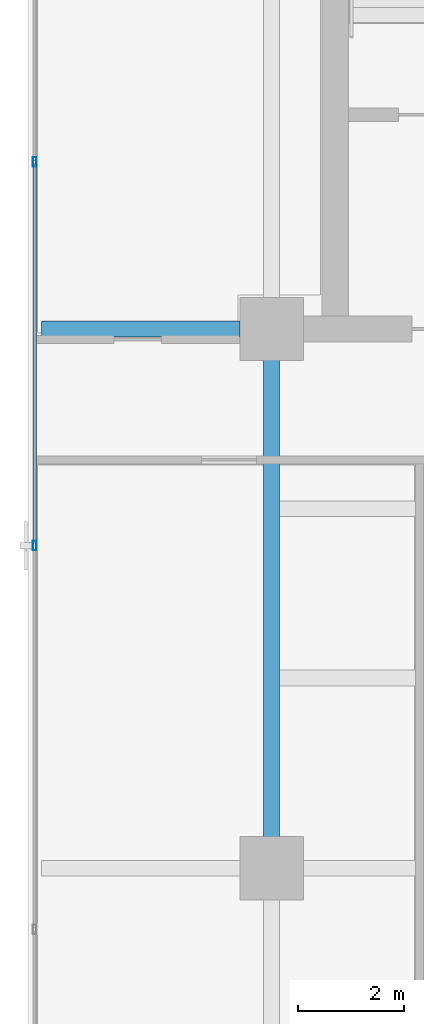
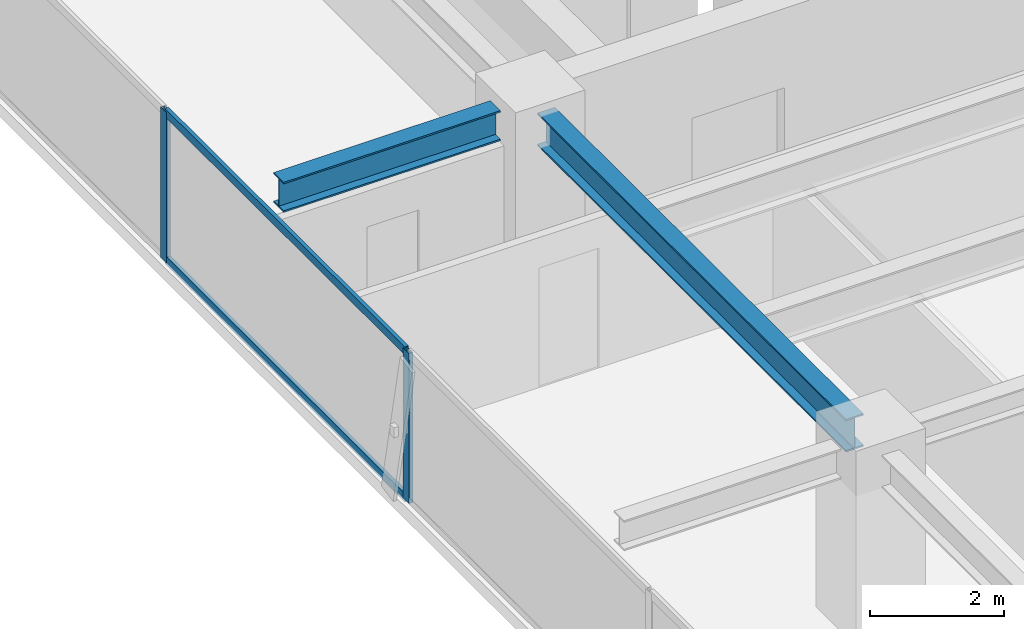
# One storey, part 6 of 20: 4 members, 2 beams, 1 element without a shape of its own.
"""IFC4 building model written with IfcOpenShell, lengths in metres."""

import ifcopenshell
import ifcopenshell.guid

model = None  # the IFC model being written
_history = None  # IfcOwnerHistory: only IFC2X3 demands one
_inside = {}  # id of a spatial element -> (the spatial element, [elements in it])
_under = {}  # id of a project, library or spatial element -> (it, [spatial elements below it])
_declared = {}  # id of a project -> (the project, [libraries it declares])
_typed = {}  # id of a type object -> (the type object, [elements of that type])
_made_of = {}  # id of a material, layer set ... -> (it, [elements and type objects made of it])


def new_model(schema):
    """Start an empty IFC model of exactly this schema.

    Asked for "IFC4X3", IfcOpenShell would pick the latest addendum, in which some entities
    have other attributes; the version numbers below select the first issue.
    IFC2X3 requires an IfcOwnerHistory on every rooted entity: one is made here for all.
    """
    global model, _history
    if schema == "IFC4X3":
        model = ifcopenshell.file(schema_version=(4, 3, 0, 0))
    else:
        model = ifcopenshell.file(schema=schema)
    _inside.clear()
    _under.clear()
    _declared.clear()
    _typed.clear()
    _made_of.clear()
    _history = None
    if model.schema == "IFC2X3":
        org = make("IfcOrganization", Name="unknown")
        user = make(
            "IfcPersonAndOrganization",
            ThePerson=make("IfcPerson", FamilyName="unknown"),
            TheOrganization=org,
        )
        app = make(
            "IfcApplication",
            ApplicationDeveloper=org,
            Version="unknown",
            ApplicationFullName="unknown",
            ApplicationIdentifier="unknown",
        )
        _history = make(
            "IfcOwnerHistory",
            OwningUser=user,
            OwningApplication=app,
            ChangeAction="ADDED",
            CreationDate=0,
        )
    return model


def make(cls, **values):
    """One entity of the class cls with the attributes given. An attribute that is None is left unset."""
    return model.create_entity(
        cls, **{name: value for name, value in values.items() if value is not None}
    )


def rooted(cls, **values):
    """An entity with a GlobalId (a new one), such as an element, a storey or a relation."""
    return make(cls, GlobalId=ifcopenshell.guid.new(), OwnerHistory=_history, **values)


def si_unit(unit_type, name, prefix=None):
    """IfcSIUnit, for example si_unit("LENGTHUNIT", "METRE", prefix="MILLI")."""
    return make("IfcSIUnit", UnitType=unit_type, Prefix=prefix, Name=name)


def assignment(units):
    """IfcUnitAssignment: the units of a project."""
    return None if units is None else make("IfcUnitAssignment", Units=units)


def point(xyz):
    """IfcCartesianPoint."""
    return None if xyz is None else make("IfcCartesianPoint", Coordinates=xyz)


def direction(xyz):
    """IfcDirection."""
    return None if xyz is None else make("IfcDirection", DirectionRatios=xyz)


def frame(location, z_axis=None, x_axis=None):
    """IfcAxis2Placement3D, a coordinate frame: its origin and axes. An axis left out is left unset."""
    return make(
        "IfcAxis2Placement3D",
        Location=point(location),
        Axis=direction(z_axis),
        RefDirection=direction(x_axis),
    )


def frame_2d(location, x_axis=None):
    """IfcAxis2Placement2D, a coordinate frame in the plane: its origin and x axis."""
    return make(
        "IfcAxis2Placement2D", Location=point(location), RefDirection=direction(x_axis)
    )


def origin():
    """The frame at (0, 0, 0) with its axes left unset."""
    return frame((0.0, 0.0, 0.0))


def origin_2d():
    """The frame at (0, 0) in the plane with its x axis left unset."""
    return frame_2d((0.0, 0.0))


def place(relative_to, where):
    """IfcLocalPlacement: puts the frame where relative to a parent placement (None: the world)."""
    return make(
        "IfcLocalPlacement", PlacementRelTo=relative_to, RelativePlacement=where
    )


def context(
    kind, dimensions, precision=None, world=None, true_north=None, identifier=None
):
    """IfcGeometricRepresentationContext, for example the 3D "Model" context."""
    return make(
        "IfcGeometricRepresentationContext",
        ContextIdentifier=identifier,
        ContextType=kind,
        CoordinateSpaceDimension=dimensions,
        Precision=precision,
        WorldCoordinateSystem=world,
        TrueNorth=true_north,
    )


def subcontext(parent, identifier, kind, view, scale=None):
    """IfcGeometricRepresentationSubContext, for example "Body" below "Model"."""
    return make(
        "IfcGeometricRepresentationSubContext",
        ContextIdentifier=identifier,
        ContextType=kind,
        ParentContext=parent,
        TargetScale=scale,
        TargetView=view,
    )


def project(units=None, contexts=None):
    """IfcProject with its units and contexts."""
    return rooted(
        "IfcProject",
        Name="project",
        RepresentationContexts=contexts,
        UnitsInContext=assignment(units),
    )


def spatial(cls, under=None, at=None, **own):
    """A site, building, storey or space (cls), placed at a placement, below another one or the project."""
    s = rooted(cls, ObjectPlacement=at, **own)
    if under is not None:
        _under.setdefault(under.id(), (under, []))[1].append(s)
    return s


def profile(cls, at=None, kind="AREA", **sizes):
    """A parametric profile (cls). Its sizes go by their IFC names, for example OverallWidth=200.0."""
    return make(cls, ProfileType=kind, Position=at, **sizes)


def hollow_rectangle(**sizes):
    """IfcRectangleHollowProfileDef."""
    return profile("IfcRectangleHollowProfileDef", **sizes)


def i_section(**sizes):
    """IfcIShapeProfileDef."""
    return profile("IfcIShapeProfileDef", **sizes)


def extrude(swept, where, along, depth):
    """IfcExtrudedAreaSolid: the profile swept, set in the frame where, extruded along a direction by depth."""
    return make(
        "IfcExtrudedAreaSolid",
        SweptArea=swept,
        Position=where,
        ExtrudedDirection=direction(along),
        Depth=depth,
    )


def shape(context_of_items, identifier, shape_type, items):
    """IfcShapeRepresentation: the items that make up one representation, for example the "Body"."""
    return make(
        "IfcShapeRepresentation",
        ContextOfItems=context_of_items,
        RepresentationIdentifier=identifier,
        RepresentationType=shape_type,
        Items=items,
    )


def source(mapping_origin, context_of_items, identifier, shape_type, items):
    """IfcRepresentationMap: a shape defined once, which mapped items show again and again."""
    return make(
        "IfcRepresentationMap",
        MappingOrigin=mapping_origin,
        MappedRepresentation=shape(context_of_items, identifier, shape_type, items),
    )


def transform(
    local_origin,
    x_axis=None,
    y_axis=None,
    z_axis=None,
    scale=None,
    scale2=None,
    scale3=None,
    uniform=True,
):
    """IfcCartesianTransformationOperator3D, or its non-uniform kind. x_axis, y_axis, z_axis: its Axis1, 2, 3."""
    if uniform:
        return make(
            "IfcCartesianTransformationOperator3D",
            Axis1=direction(x_axis),
            Axis2=direction(y_axis),
            LocalOrigin=point(local_origin),
            Scale=scale,
            Axis3=direction(z_axis),
        )
    return make(
        "IfcCartesianTransformationOperator3DnonUniform",
        Axis1=direction(x_axis),
        Axis2=direction(y_axis),
        LocalOrigin=point(local_origin),
        Scale=scale,
        Axis3=direction(z_axis),
        Scale2=scale2,
        Scale3=scale3,
    )


def mapped(mapping_source, mapping_target):
    """IfcMappedItem: shows the shape of a source again, moved by a transform."""
    return make(
        "IfcMappedItem", MappingSource=mapping_source, MappingTarget=mapping_target
    )


def material(Name=None, Category=None):
    """IfcMaterial."""
    return make("IfcMaterial", Name=Name, Category=Category)


def layer(
    of_material, thickness, ventilated=None, Name=None, Category=None, Priority=None
):
    """IfcMaterialLayer: one layer of a wall or slab, of a material (None: an air gap)."""
    return make(
        "IfcMaterialLayer",
        Material=of_material,
        LayerThickness=thickness,
        IsVentilated=ventilated,
        Name=Name,
        Category=Category,
        Priority=Priority,
    )


def layer_set(layers, Name=None):
    """IfcMaterialLayerSet."""
    return make("IfcMaterialLayerSet", MaterialLayers=layers, LayerSetName=Name)


def material_profile(
    of_material, cross_section, Name=None, Category=None, Priority=None
):
    """IfcMaterialProfile: a cross section and its material."""
    return make(
        "IfcMaterialProfile",
        Name=Name,
        Material=of_material,
        Profile=cross_section,
        Priority=Priority,
        Category=Category,
    )


def profile_set(profiles, Name=None, composite=None):
    """IfcMaterialProfileSet."""
    return make(
        "IfcMaterialProfileSet",
        Name=Name,
        MaterialProfiles=profiles,
        CompositeProfile=composite,
    )


def made_of(thing, what):
    """Note that an element or type object is made of a material, layer set ...; save() writes the relation."""
    if what is not None:
        _made_of.setdefault(what.id(), (what, []))[1].append(thing)
    return thing


def type_object(cls, material=None, **own):
    """A type object (cls), such as IfcWallType, which elements share."""
    return made_of(rooted(cls, **own), material)


def element(
    cls,
    number,
    at=None,
    inside=None,
    cuts=None,
    type_object=None,
    material=None,
    context=None,
    identifier="Body",
    shape_type=None,
    held_by="IfcProductDefinitionShape",
    body=None,
    shapes=None,
    **own,
):
    """One element of the class cls, such as IfcWall. Its Tag is "e" and its number.

    at: its placement. inside: the storey or other place that contains it. cuts: it is an
    opening in that element (IfcRelVoidsElement). A single representation is given by context,
    identifier, shape_type and body (its items); several are given by shapes. held_by: the class
    of the entity that holds the representations. save() writes the other relations.
    """
    e = rooted(cls, Tag="e%d" % number, ObjectPlacement=at, **own)
    if body is not None:
        shapes = [shape(context, identifier, shape_type, body)]
    if shapes is not None:
        e.Representation = make(held_by, Representations=shapes)
    if inside is not None:
        _inside.setdefault(inside.id(), (inside, []))[1].append(e)
    if cuts is not None:
        rooted(
            "IfcRelVoidsElement", RelatingBuildingElement=cuts, RelatedOpeningElement=e
        )
    if type_object is not None:
        _typed.setdefault(type_object.id(), (type_object, []))[1].append(e)
    return made_of(e, material)


def aggregate(whole, parts):
    """IfcRelAggregates: a whole, such as a stair, and the parts it consists of."""
    return rooted("IfcRelAggregates", RelatingObject=whole, RelatedObjects=parts)


def save(model, path):
    """Write the relations noted so far, then the file.

    IfcRelAggregates (storeys below a building ...), IfcRelContainedInSpatialStructure (elements
    in a storey), IfcRelDefinesByType, IfcRelAssociatesMaterial and IfcRelDeclares: one each for
    every whole, place, type object, material and project.
    """
    for whole, parts in _under.values():
        aggregate(whole, parts)
    for where, things in _inside.values():
        rooted(
            "IfcRelContainedInSpatialStructure",
            RelatedElements=things,
            RelatingStructure=where,
        )
    for kind, things in _typed.values():
        rooted("IfcRelDefinesByType", RelatedObjects=things, RelatingType=kind)
    for what, things in _made_of.values():
        rooted("IfcRelAssociatesMaterial", RelatedObjects=things, RelatingMaterial=what)
    for by, libraries in _declared.values():
        rooted("IfcRelDeclares", RelatingContext=by, RelatedDefinitions=libraries)
    model.write(path)


model = new_model("IFC4")

# Units and contexts
model_context = context("Model", 3, precision=1e-05, world=origin(), true_north=direction((0.0, 1.0)))
body_context = subcontext(model_context, "Body", "Model", "MODEL_VIEW")
ifc_project = project(units=[si_unit("LENGTHUNIT", "METRE"), si_unit("AREAUNIT", "SQUARE_METRE"), si_unit("VOLUMEUNIT", "CUBIC_METRE"), si_unit("PLANEANGLEUNIT", "RADIAN"), si_unit("MASSUNIT", "GRAM", prefix="KILO")], contexts=[model_context])

# Site, building, storey
site_placement = place(None, origin())
site = spatial("IfcSite", under=ifc_project, at=site_placement, CompositionType="ELEMENT")
building_placement = place(site_placement, origin())
building = spatial("IfcBuilding", under=site, at=building_placement, Name="Sumidabori Civic Tower", CompositionType="ELEMENT")
storey_placement = place(building_placement, frame((0.0, 0.0, 282.800048828125)))
storey = spatial("IfcBuildingStorey", under=building, at=storey_placement, Name="L74", CompositionType="ELEMENT", Elevation=282.800048828125)

# Beams
ifc_material_1 = material(Name="Steel SN490", Category="steel")
ifc_material_profile_1 = material_profile(ifc_material_1, i_section(OverallWidth=0.300048828125, OverallDepth=0.60009765625, WebThickness=0.015380859375, FlangeThickness=0.030029296875, at=origin_2d()), Name="HE 600 B")
ifc_profile_set_1 = profile_set([ifc_material_profile_1], Name="Steel SN490")
beam_type_1 = type_object("IfcBeamType", Name="BM-GIRD-600", PredefinedType="BEAM", material=ifc_profile_set_1)
shared_shape_1 = source(origin(), body_context, "Body", "SweptSolid", [
    extrude(i_section(OverallWidth=0.300048828125, OverallDepth=0.60009765625, WebThickness=0.015380859375, FlangeThickness=0.030029296875, at=origin_2d()), origin(), (0.0, 0.0, 1.0), 9.239990234375),
])
beam_1_placement = place(storey_placement, frame((-16.800048828125, 0.47998046875, 3.070068359375), z_axis=(0.0, 1.0, 0.0), x_axis=(-1.0, 0.0, 0.0)))
element("IfcBeam", 1, at=beam_1_placement, inside=storey, type_object=beam_type_1, Name="Primary Girder L74 GY-10", PredefinedType="BEAM", context=body_context, shape_type="MappedRepresentation", body=[
    mapped(shared_shape_1, transform((0.0, 0.0, 0.0), x_axis=(1.0, 0.0, 0.0), y_axis=(0.0, 1.0, 0.0), z_axis=(0.0, 0.0, 1.0), scale=1.0)),
])
ifc_material_profile_2 = material_profile(ifc_material_1, i_section(OverallWidth=0.300048828125, OverallDepth=0.550048828125, WebThickness=0.014892578125, FlangeThickness=0.029052734375, at=origin_2d()), Name="HE 550 B")
ifc_profile_set_2 = profile_set([ifc_material_profile_2], Name="Steel SN490")
beam_type_2 = type_object("IfcBeamType", Name="BM-Z4-EDGE", PredefinedType="SPANDREL", material=ifc_profile_set_2)
shared_shape_2 = source(origin(), body_context, "Body", "SweptSolid", [
    extrude(i_section(OverallWidth=0.300048828125, OverallDepth=0.550048828125, WebThickness=0.014892578125, FlangeThickness=0.029052734375, at=origin_2d()), origin(), (0.0, 0.0, 1.0), 3.75),
])
beam_2_placement = place(storey_placement, frame((-21.14990234375, 10.199951171875, 3.094970703125), z_axis=(1.0, 0.0, 0.0), x_axis=(0.0, 1.0, 0.0)))
element("IfcBeam", 2, at=beam_2_placement, inside=storey, type_object=beam_type_2, Name="Perimeter Overhang Beam L74 W-21", PredefinedType="SPANDREL", context=body_context, shape_type="MappedRepresentation", body=[
    mapped(shared_shape_2, transform((0.0, 0.0, 0.0), x_axis=(1.0, 0.0, 0.0), y_axis=(0.0, 1.0, 0.0), z_axis=(0.0, 0.0, 1.0), scale=1.0)),
])

# Curtain wall, members
ifc_material_2 = material(Name="Anodised Bronze Aluminium AW-6063-T6", Category="aluminium")
ifc_layer = layer(ifc_material_2, 0.179931640625, Name="Anodised Bronze Aluminium AW-6063-T6")
ifc_layer_set = layer_set([ifc_layer], Name="Anodised Bronze Aluminium AW-6063-T6")
curtain_wall_type = type_object("IfcCurtainWallType", Name="CW-SYS-6", PredefinedType="NOTDEFINED", material=ifc_layer_set)
curtain_wall_placement = place(storey_placement, origin())
curtain_wall = element("IfcCurtainWall", 3, at=curtain_wall_placement, inside=storey, type_object=curtain_wall_type, Name="Curtain Wall CW:L74:R10", PredefinedType="NOTDEFINED")
ifc_material_profile_3 = material_profile(ifc_material_2, hollow_rectangle(XDim=0.070068359375, YDim=0.179931640625, WallThickness=0.006103515625, at=origin_2d()), Name="ALU MULLION 180x70")
ifc_profile_set_3 = profile_set([ifc_material_profile_3], Name="Anodised Bronze Aluminium AW-6063-T6")
member_type_1 = type_object("IfcMemberType", Name="CW-MUL-180", PredefinedType="MULLION", material=ifc_profile_set_3)
shared_shape_3 = source(origin(), body_context, "Body", "SweptSolid", [
    extrude(hollow_rectangle(XDim=0.070068359375, YDim=0.179931640625, WallThickness=0.006103515625, at=origin_2d()), origin(), (0.0, 0.0, 1.0), 2.75),
])
member_1_placement = place(storey_placement, frame((-21.280029296875, 13.360107421875, 0.0), z_axis=(0.0, 0.0, 1.0), x_axis=(1.0, 0.0, 0.0)))
member_1 = element("IfcMember", 4, at=member_1_placement, type_object=member_type_1, Name="CW-6 mullion 2", PredefinedType="MULLION", context=body_context, shape_type="MappedRepresentation", body=[
    mapped(shared_shape_3, transform((0.0, 0.0, 0.0), x_axis=(1.0, 0.0, 0.0), y_axis=(0.0, 1.0, 0.0), z_axis=(0.0, 0.0, 1.0), scale=1.0)),
])
member_2_placement = place(storey_placement, frame((-21.280029296875, 6.10009765625, 0.0), z_axis=(0.0, 0.0, 1.0), x_axis=(1.0, 0.0, 0.0)))
member_2 = element("IfcMember", 5, at=member_2_placement, type_object=member_type_1, Name="CW-6 mullion 3", PredefinedType="MULLION", context=body_context, shape_type="MappedRepresentation", body=[
    mapped(shared_shape_3, transform((0.0, 0.0, 0.0), x_axis=(1.0, 0.0, 0.0), y_axis=(0.0, 1.0, 0.0), z_axis=(0.0, 0.0, 1.0), scale=1.0)),
])
ifc_material_profile_4 = material_profile(ifc_material_2, hollow_rectangle(XDim=0.06494140625, YDim=0.14990234375, WallThickness=0.0048828125, at=origin_2d()), Name="ALU TRANSOM 150x65")
ifc_profile_set_4 = profile_set([ifc_material_profile_4], Name="Anodised Bronze Aluminium AW-6063-T6")
member_type_2 = type_object("IfcMemberType", Name="CW-TRN-150", PredefinedType="USERDEFINED", material=ifc_profile_set_4)
shared_shape_4 = source(origin(), body_context, "Body", "SweptSolid", [
    extrude(hollow_rectangle(XDim=0.06494140625, YDim=0.14990234375, WallThickness=0.0048828125, at=origin_2d()), origin(), (0.0, 0.0, 1.0), 7.18994140625),
])
member_3_placement = place(storey_placement, frame((-21.280029296875, 13.324951171875, 0.032470703125), z_axis=(0.0, -1.0, 0.0), x_axis=(1.0, 0.0, 0.0)))
member_3 = element("IfcMember", 6, at=member_3_placement, type_object=member_type_2, Name="CW-6 transom 2.1", ObjectType="TRANSOM", PredefinedType="USERDEFINED", context=body_context, shape_type="MappedRepresentation", body=[
    mapped(shared_shape_4, transform((0.0, 0.0, 0.0), x_axis=(1.0, 0.0, 0.0), y_axis=(0.0, 1.0, 0.0), z_axis=(0.0, 0.0, 1.0), scale=1.0)),
])
member_4_placement = place(storey_placement, frame((-21.280029296875, 13.324951171875, 2.717529296875), z_axis=(0.0, -1.0, 0.0), x_axis=(1.0, 0.0, 0.0)))
member_4 = element("IfcMember", 7, at=member_4_placement, type_object=member_type_2, Name="CW-6 transom 2.2", ObjectType="TRANSOM", PredefinedType="USERDEFINED", context=body_context, shape_type="MappedRepresentation", body=[
    mapped(shared_shape_4, transform((0.0, 0.0, 0.0), x_axis=(1.0, 0.0, 0.0), y_axis=(0.0, 1.0, 0.0), z_axis=(0.0, 0.0, 1.0), scale=1.0)),
])
aggregate(curtain_wall, [member_1, member_2, member_3, member_4])

save(model, "model.ifc")
